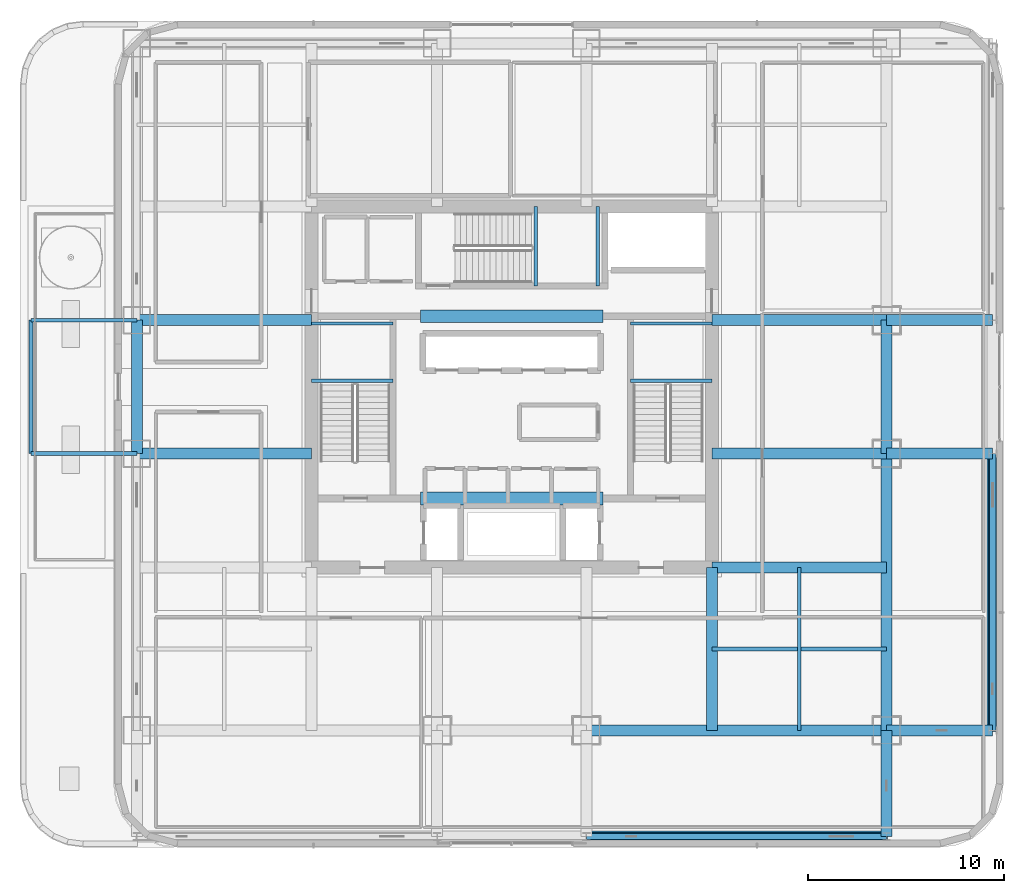
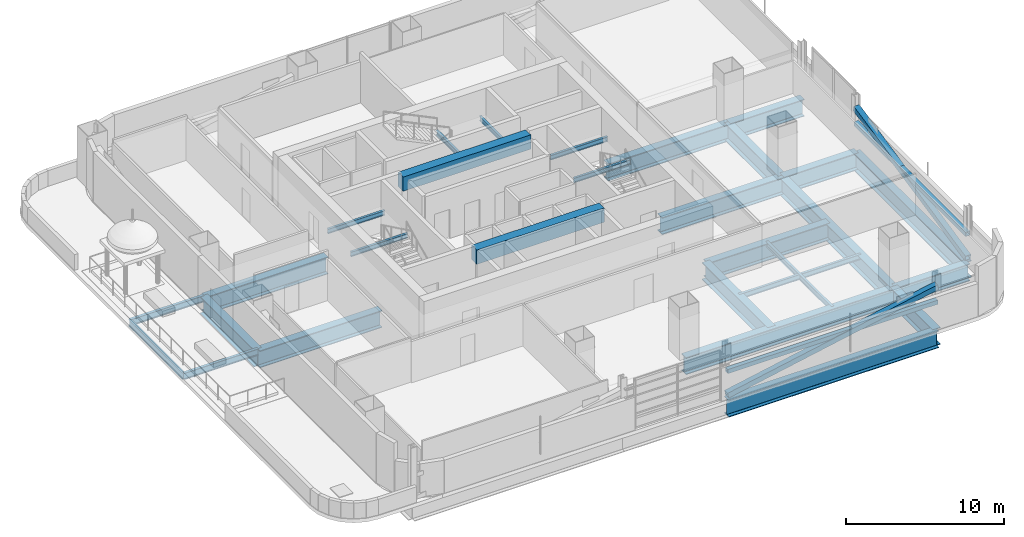
# One storey, part 3 of 27: 29 beams, 4 members.
"""IFC4 building model written with IfcOpenShell, lengths in metres."""

from ifc_helpers import new_model, si_unit, direction, frame, origin, origin_2d, place, context, subcontext, project, spatial, rectangle, hollow_rectangle, i_section, extrude, material, material_profile, profile_set, type_object, element, save


model = new_model("IFC4")

# Units and contexts
model_context = context("Model", 3, precision=1e-05, world=origin(), true_north=direction((0.0, 1.0)))
body_context = subcontext(model_context, "Body", "Model", "MODEL_VIEW")
ifc_project = project(units=[si_unit("LENGTHUNIT", "METRE"), si_unit("AREAUNIT", "SQUARE_METRE"), si_unit("VOLUMEUNIT", "CUBIC_METRE"), si_unit("PLANEANGLEUNIT", "RADIAN"), si_unit("MASSUNIT", "GRAM", prefix="KILO")], contexts=[model_context])

# Site, building, storey
site_placement = place(None, origin())
site = spatial("IfcSite", under=ifc_project, at=site_placement, CompositionType="ELEMENT")
building_placement = place(site_placement, origin())
building = spatial("IfcBuilding", under=site, at=building_placement, Name="Punatoya Terracotta Tower", CompositionType="ELEMENT")
storey_placement = place(building_placement, frame((0.0, 0.0, 204.60009765625)))
storey = spatial("IfcBuildingStorey", under=building, at=storey_placement, Name="L48", CompositionType="ELEMENT", Elevation=204.60009765625)

# Beams
ifc_material_1 = material(Name="Concrete C60/75", Category="concrete")
ifc_material_profile_1 = material_profile(ifc_material_1, rectangle(XDim=0.64990234375, YDim=1.10009765625, at=origin_2d()))
ifc_profile_set_1 = profile_set([ifc_material_profile_1], Name="Concrete C60/75")
beam_type_1 = type_object("IfcBeamType", Name="BM-RC-1100", PredefinedType="LINTEL", material=ifc_profile_set_1)
for number, where, z_axis, x_axis, name in (
    (1, (-4.64990234375, -5.679931640625, 3.27978515625), (1.0, 0.0, 0.0), (0.0, 1.0, 0.0), "L48 Core Coupling Lintel CSW"),
    (2, (-4.64990234375, 3.60009765625, 3.27978515625), (1.0, 0.0, 0.0), (0.0, 1.0, 0.0), "L48 Core Coupling Lintel CNW"),
):
    element("IfcBeam", number, at=place(storey_placement, frame(where, z_axis=z_axis, x_axis=x_axis)), inside=storey, type_object=beam_type_1, Name=name, PredefinedType="LINTEL", context=body_context, shape_type="SweptSolid", body=[
        extrude(rectangle(XDim=0.64990234375, YDim=1.10009765625, at=origin_2d()), origin(), (0.0, 0.0, 1.0), 9.2998046875),
    ])
ifc_material_2 = material(Name="Steel S355", Category="steel")
ifc_material_profile_2 = material_profile(ifc_material_2, i_section(OverallWidth=0.169921875, OverallDepth=0.360107421875, WebThickness=0.008056640625, FlangeThickness=0.0126953125, FilletRadius=0.01806640625, at=origin_2d()))
ifc_profile_set_2 = profile_set([ifc_material_profile_2], Name="Steel S355")
beam_type_2 = type_object("IfcBeamType", Name="BM-SEC-360", PredefinedType="JOIST", material=ifc_profile_set_2)
for number, where, z_axis, x_axis, name in (
    (3, (-10.199951171875, 0.320068359375, 1.64501953125), (1.0, 0.0, 0.0), (0.0, 1.0, 0.0), "BM-L48-ST-1-LD1A"),
    (4, (-10.199951171875, 3.22998046875, 1.64501953125), (1.0, 0.0, 0.0), (0.0, 1.0, 0.0), "BM-L48-ST-1-LD1B"),
    (5, (6.050048828125, 0.320068359375, 1.64501953125), (1.0, 0.0, 0.0), (0.0, 1.0, 0.0), "BM-L48-ST-2-LD1A"),
    (6, (6.050048828125, 3.22998046875, 1.64501953125), (1.0, 0.0, 0.0), (0.0, 1.0, 0.0), "BM-L48-ST-2-LD1B"),
):
    element("IfcBeam", number, at=place(storey_placement, frame(where, z_axis=z_axis, x_axis=x_axis)), inside=storey, type_object=beam_type_2, Name=name, PredefinedType="JOIST", context=body_context, shape_type="SweptSolid", body=[
        extrude(i_section(OverallWidth=0.169921875, OverallDepth=0.360107421875, WebThickness=0.008056640625, FlangeThickness=0.0126953125, FilletRadius=0.01806640625, at=origin_2d()), origin(), (0.0, 0.0, 1.0), 4.14990234375),
    ])
for number, where, z_axis, x_axis, name in (
    (7, (1.219970703125, 5.14990234375, 1.64501953125), (0.0, 1.0, 0.0), (-1.0, 0.0, 0.0), "BM-L48-ST-3-LD1A"),
    (8, (4.3798828125, 5.14990234375, 1.64501953125), (0.0, 1.0, 0.0), (-1.0, 0.0, 0.0), "BM-L48-ST-3-LD1B"),
):
    element("IfcBeam", number, at=place(storey_placement, frame(where, z_axis=z_axis, x_axis=x_axis)), inside=storey, type_object=beam_type_2, Name=name, PredefinedType="JOIST", context=body_context, shape_type="SweptSolid", body=[
        extrude(i_section(OverallWidth=0.169921875, OverallDepth=0.360107421875, WebThickness=0.008056640625, FlangeThickness=0.0126953125, FilletRadius=0.01806640625, at=origin_2d()), origin(), (0.0, 0.0, 1.0), 4.050048828125),
    ])
ifc_material_profile_3 = material_profile(ifc_material_2, i_section(OverallWidth=0.179931640625, OverallDepth=0.39990234375, WebThickness=0.008544921875, FlangeThickness=0.013427734375, FilletRadius=0.01806640625, at=origin_2d()))
ifc_profile_set_3 = profile_set([ifc_material_profile_3], Name="Steel S355")
beam_type_3 = type_object("IfcBeamType", Name="BM-SEC-400", PredefinedType="JOIST", material=ifc_profile_set_3)
beam_1_placement = place(storey_placement, frame((10.199951171875, -13.35009765625, -0.47998046875), z_axis=(1.0, 0.0, 0.0), x_axis=(0.0, 1.0, 0.0)))
element("IfcBeam", 9, at=beam_1_placement, inside=storey, type_object=beam_type_3, Name="BM-L48-SJS-2", PredefinedType="JOIST", context=body_context, shape_type="SweptSolid", body=[
    extrude(i_section(OverallWidth=0.179931640625, OverallDepth=0.39990234375, WebThickness=0.008544921875, FlangeThickness=0.013427734375, FilletRadius=0.01806640625, at=origin_2d()), origin(), (0.0, 0.0, 1.0), 8.900146484375),
])
beam_2_placement = place(storey_placement, frame((14.64990234375, -17.5, -0.47998046875), z_axis=(0.0, 1.0, 0.0), x_axis=(-1.0, 0.0, 0.0)))
element("IfcBeam", 10, at=beam_2_placement, inside=storey, type_object=beam_type_3, Name="BM-L48-SJE-1", PredefinedType="JOIST", context=body_context, shape_type="SweptSolid", body=[
    extrude(i_section(OverallWidth=0.179931640625, OverallDepth=0.39990234375, WebThickness=0.008544921875, FlangeThickness=0.013427734375, FilletRadius=0.01806640625, at=origin_2d()), origin(), (0.0, 0.0, 1.0), 8.300048828125),
])
ifc_material_profile_4 = material_profile(ifc_material_2, i_section(OverallWidth=0.199951171875, OverallDepth=0.5, WebThickness=0.01025390625, FlangeThickness=0.01611328125, FilletRadius=0.01806640625, at=origin_2d()))
ifc_profile_set_4 = profile_set([ifc_material_profile_4], Name="Steel S355")
beam_type_4 = type_object("IfcBeamType", Name="BM-SPN-500", PredefinedType="SPANDREL", material=ifc_profile_set_4)
for number, where, z_axis, x_axis, name in (
    (11, (-24.5, -3.39990234375, -0.47998046875), (1.0, 0.0, 0.0), (0.0, 1.0, 0.0), "BM-L48-TERW-1--3"),
    (12, (-24.5, 3.39990234375, -0.47998046875), (1.0, 0.0, 0.0), (0.0, 1.0, 0.0), "BM-L48-TERW-1-3"),
):
    element("IfcBeam", number, at=place(storey_placement, frame(where, z_axis=z_axis, x_axis=x_axis)), inside=storey, type_object=beam_type_4, Name=name, PredefinedType="SPANDREL", context=body_context, shape_type="SweptSolid", body=[
        extrude(i_section(OverallWidth=0.199951171875, OverallDepth=0.5, WebThickness=0.01025390625, FlangeThickness=0.01611328125, FilletRadius=0.01806640625, at=origin_2d()), origin(), (0.0, 0.0, 1.0), 5.39990234375),
    ])
beam_3_placement = place(storey_placement, frame((-24.5, -3.39990234375, -0.47998046875), z_axis=(0.0, 1.0, 0.0), x_axis=(-1.0, 0.0, 0.0)))
element("IfcBeam", 13, at=beam_3_placement, inside=storey, type_object=beam_type_4, Name="BM-L48-TERE-1", PredefinedType="SPANDREL", context=body_context, shape_type="SweptSolid", body=[
    extrude(i_section(OverallWidth=0.199951171875, OverallDepth=0.5, WebThickness=0.01025390625, FlangeThickness=0.01611328125, FilletRadius=0.01806640625, at=origin_2d()), origin(), (0.0, 0.0, 1.0), 6.7998046875),
])
ifc_material_3 = material(Name="Steel S460", Category="steel")
ifc_material_profile_5 = material_profile(ifc_material_3, i_section(OverallWidth=0.56005859375, OverallDepth=1.320068359375, WebThickness=0.035888671875, FlangeThickness=0.054931640625, FilletRadius=0.01806640625, at=origin_2d()))
ifc_profile_set_5 = profile_set([ifc_material_profile_5], Name="Steel S460")
beam_type_5 = type_object("IfcBeamType", Name="BM-TG-BLK", PredefinedType="BEAM", material=ifc_profile_set_5)
beam_4_placement = place(storey_placement, frame((3.800048828125, -17.5, -0.940185546875), z_axis=(1.0, 0.0, 0.0), x_axis=(0.0, 1.0, 0.0)))
element("IfcBeam", 14, at=beam_4_placement, inside=storey, type_object=beam_type_5, Name="BM-L48-RG-S3", PredefinedType="BEAM", context=body_context, shape_type="SweptSolid", body=[
    extrude(i_section(OverallWidth=0.56005859375, OverallDepth=1.320068359375, WebThickness=0.035888671875, FlangeThickness=0.054931640625, FilletRadius=0.01806640625, at=origin_2d()), origin(), (0.0, 0.0, 1.0), 15.300048828125),
])
beam_5_placement = place(storey_placement, frame((-19.10009765625, -3.39990234375, -0.940185546875), z_axis=(0.0, 1.0, 0.0), x_axis=(-1.0, 0.0, 0.0)))
element("IfcBeam", 15, at=beam_5_placement, inside=storey, type_object=beam_type_5, Name="BM-L48-RG-W2", PredefinedType="BEAM", context=body_context, shape_type="SweptSolid", body=[
    extrude(i_section(OverallWidth=0.56005859375, OverallDepth=1.320068359375, WebThickness=0.035888671875, FlangeThickness=0.054931640625, FilletRadius=0.01806640625, at=origin_2d()), origin(), (0.0, 0.0, 1.0), 6.7998046875),
])
beam_6_placement = place(storey_placement, frame((19.10009765625, -17.5, -0.940185546875), z_axis=(0.0, 1.0, 0.0), x_axis=(-1.0, 0.0, 0.0)))
element("IfcBeam", 16, at=beam_6_placement, inside=storey, type_object=beam_type_5, Name="BM-L48-RG-E1", PredefinedType="BEAM", context=body_context, shape_type="SweptSolid", body=[
    extrude(i_section(OverallWidth=0.56005859375, OverallDepth=1.320068359375, WebThickness=0.035888671875, FlangeThickness=0.054931640625, FilletRadius=0.01806640625, at=origin_2d()), origin(), (0.0, 0.0, 1.0), 14.10009765625),
])
beam_7_placement = place(storey_placement, frame((19.10009765625, -3.39990234375, -0.940185546875), z_axis=(0.0, 1.0, 0.0), x_axis=(-1.0, 0.0, 0.0)))
element("IfcBeam", 17, at=beam_7_placement, inside=storey, type_object=beam_type_5, Name="BM-L48-RG-E2", PredefinedType="BEAM", context=body_context, shape_type="SweptSolid", body=[
    extrude(i_section(OverallWidth=0.56005859375, OverallDepth=1.320068359375, WebThickness=0.035888671875, FlangeThickness=0.054931640625, FilletRadius=0.01806640625, at=origin_2d()), origin(), (0.0, 0.0, 1.0), 6.7998046875),
])
for number, where, z_axis, x_axis, name in (
    (18, (-19.10009765625, -3.39990234375, -0.940185546875), (1.0, 0.0, 0.0), (0.0, 1.0, 0.0), "BM-L48-PR-WD"),
    (19, (-19.10009765625, 3.39990234375, -0.940185546875), (1.0, 0.0, 0.0), (0.0, 1.0, 0.0), "BM-L48-PR-WE"),
    (20, (10.199951171875, -9.199951171875, -0.940185546875), (1.0, 0.0, 0.0), (0.0, 1.0, 0.0), "BM-L48-PR-ES"),
    (21, (10.199951171875, -3.39990234375, -0.940185546875), (1.0, 0.0, 0.0), (0.0, 1.0, 0.0), "BM-L48-PR-ED"),
    (22, (10.199951171875, 3.39990234375, -0.940185546875), (1.0, 0.0, 0.0), (0.0, 1.0, 0.0), "BM-L48-PR-EE"),
):
    element("IfcBeam", number, at=place(storey_placement, frame(where, z_axis=z_axis, x_axis=x_axis)), inside=storey, type_object=beam_type_5, Name=name, PredefinedType="BEAM", context=body_context, shape_type="SweptSolid", body=[
        extrude(i_section(OverallWidth=0.56005859375, OverallDepth=1.320068359375, WebThickness=0.035888671875, FlangeThickness=0.054931640625, FilletRadius=0.01806640625, at=origin_2d()), origin(), (0.0, 0.0, 1.0), 8.900146484375),
    ])
beam_8_placement = place(storey_placement, frame((10.199951171875, -17.5, -0.940185546875), z_axis=(0.0, 1.0, 0.0), x_axis=(-1.0, 0.0, 0.0)))
element("IfcBeam", 23, at=beam_8_placement, inside=storey, type_object=beam_type_5, Name="BM-L48-PR-S4", PredefinedType="BEAM", context=body_context, shape_type="SweptSolid", body=[
    extrude(i_section(OverallWidth=0.56005859375, OverallDepth=1.320068359375, WebThickness=0.035888671875, FlangeThickness=0.054931640625, FilletRadius=0.01806640625, at=origin_2d()), origin(), (0.0, 0.0, 1.0), 8.300048828125),
])
for number, where, z_axis, x_axis, name in (
    (24, (19.10009765625, -17.5, -0.940185546875), (1.0, 0.0, 0.0), (0.0, 1.0, 0.0), "BM-L48-CANT-E1"),
    (25, (19.10009765625, -3.39990234375, -0.940185546875), (1.0, 0.0, 0.0), (0.0, 1.0, 0.0), "BM-L48-CANT-E2"),
    (26, (19.10009765625, 3.39990234375, -0.940185546875), (1.0, 0.0, 0.0), (0.0, 1.0, 0.0), "BM-L48-CANT-E3"),
    (27, (19.10009765625, -22.89990234375, -0.940185546875), (0.0, 1.0, 0.0), (-1.0, 0.0, 0.0), "BM-L48-CANT-S4"),
):
    element("IfcBeam", number, at=place(storey_placement, frame(where, z_axis=z_axis, x_axis=x_axis)), inside=storey, type_object=beam_type_5, Name=name, PredefinedType="BEAM", context=body_context, shape_type="SweptSolid", body=[
        extrude(i_section(OverallWidth=0.56005859375, OverallDepth=1.320068359375, WebThickness=0.035888671875, FlangeThickness=0.054931640625, FilletRadius=0.01806640625, at=origin_2d()), origin(), (0.0, 0.0, 1.0), 5.39990234375),
    ])
beam_9_placement = place(storey_placement, frame((3.800048828125, -22.89990234375, -0.940185546875), z_axis=(1.0, 0.0, 0.0), x_axis=(0.0, 1.0, 0.0)))
element("IfcBeam", 28, at=beam_9_placement, inside=storey, type_object=beam_type_5, Name="BM-L48-PER-S3", PredefinedType="BEAM", context=body_context, shape_type="SweptSolid", body=[
    extrude(i_section(OverallWidth=0.56005859375, OverallDepth=1.320068359375, WebThickness=0.035888671875, FlangeThickness=0.054931640625, FilletRadius=0.01806640625, at=origin_2d()), origin(), (0.0, 0.0, 1.0), 15.300048828125),
])
beam_10_placement = place(storey_placement, frame((24.5, -17.5, -0.940185546875), z_axis=(0.0, 1.0, 0.0), x_axis=(-1.0, 0.0, 0.0)))
element("IfcBeam", 29, at=beam_10_placement, inside=storey, type_object=beam_type_5, Name="BM-L48-PER-E1", PredefinedType="BEAM", context=body_context, shape_type="SweptSolid", body=[
    extrude(i_section(OverallWidth=0.56005859375, OverallDepth=1.320068359375, WebThickness=0.035888671875, FlangeThickness=0.054931640625, FilletRadius=0.01806640625, at=origin_2d()), origin(), (0.0, 0.0, 1.0), 14.10009765625),
])

# Members
ifc_material_profile_6 = material_profile(ifc_material_3, hollow_rectangle(XDim=0.320068359375, YDim=0.320068359375, WallThickness=0.01806640625, at=origin_2d()))
ifc_profile_set_6 = profile_set([ifc_material_profile_6], Name="Steel S460")
member_type_1 = type_object("IfcMemberType", Name="MEM-CHD-320", PredefinedType="CHORD", material=ifc_profile_set_6)
member_1_placement = place(storey_placement, frame((3.800048828125, -22.89990234375, 1.849853515625), z_axis=(1.0, 0.0, 0.0), x_axis=(0.0, 1.0, 0.0)))
element("IfcMember", 30, at=member_1_placement, inside=storey, type_object=member_type_1, Name="L48 Exoskeleton Belt Truss Tie Chord S3", PredefinedType="CHORD", context=body_context, shape_type="SweptSolid", body=[
    extrude(hollow_rectangle(XDim=0.320068359375, YDim=0.320068359375, WallThickness=0.01806640625, at=origin_2d()), origin(), (0.0, 0.0, 1.0), 15.300048828125),
])
member_2_placement = place(storey_placement, frame((24.5, -17.5, 1.849853515625), z_axis=(0.0, 1.0, 0.0), x_axis=(-1.0, 0.0, 0.0)))
element("IfcMember", 31, at=member_2_placement, inside=storey, type_object=member_type_1, Name="L48 Exoskeleton Belt Truss Tie Chord E1", PredefinedType="CHORD", context=body_context, shape_type="SweptSolid", body=[
    extrude(hollow_rectangle(XDim=0.320068359375, YDim=0.320068359375, WallThickness=0.01806640625, at=origin_2d()), origin(), (0.0, 0.0, 1.0), 14.10009765625),
])
ifc_material_profile_7 = material_profile(ifc_material_3, hollow_rectangle(XDim=0.39990234375, YDim=0.39990234375, WallThickness=0.02197265625, at=origin_2d()))
ifc_profile_set_7 = profile_set([ifc_material_profile_7], Name="Steel S460")
member_type_2 = type_object("IfcMemberType", Name="MEM-EXO-400", PredefinedType="BRACE", material=ifc_profile_set_7)
member_3_placement = place(storey_placement, frame((3.800048828125, -22.89990234375, 0.02001953125), z_axis=(0.981195428699, 0.0, 0.193016918173), x_axis=(0.0, 1.0, 0.0)))
element("IfcMember", 32, at=member_3_placement, inside=storey, type_object=member_type_2, Name="L48 Exoskeleton Belt Brace S3", PredefinedType="BRACE", context=body_context, shape_type="SweptSolid", body=[
    extrude(hollow_rectangle(XDim=0.39990234375, YDim=0.39990234375, WallThickness=0.02197265625, at=origin_2d()), origin(), (0.0, 0.0, 1.0), 15.59326171875),
])
member_4_placement = place(storey_placement, frame((24.5, -17.5, 0.02001953125), z_axis=(0.0, 0.97796813644, 0.208754219379), x_axis=(-1.0, 0.0, 0.0)))
element("IfcMember", 33, at=member_4_placement, inside=storey, type_object=member_type_2, Name="L48 Exoskeleton Belt Brace E1", PredefinedType="BRACE", context=body_context, shape_type="SweptSolid", body=[
    extrude(hollow_rectangle(XDim=0.39990234375, YDim=0.39990234375, WallThickness=0.02197265625, at=origin_2d()), origin(), (0.0, 0.0, 1.0), 14.417724609375),
])

save(model, "model.ifc")
